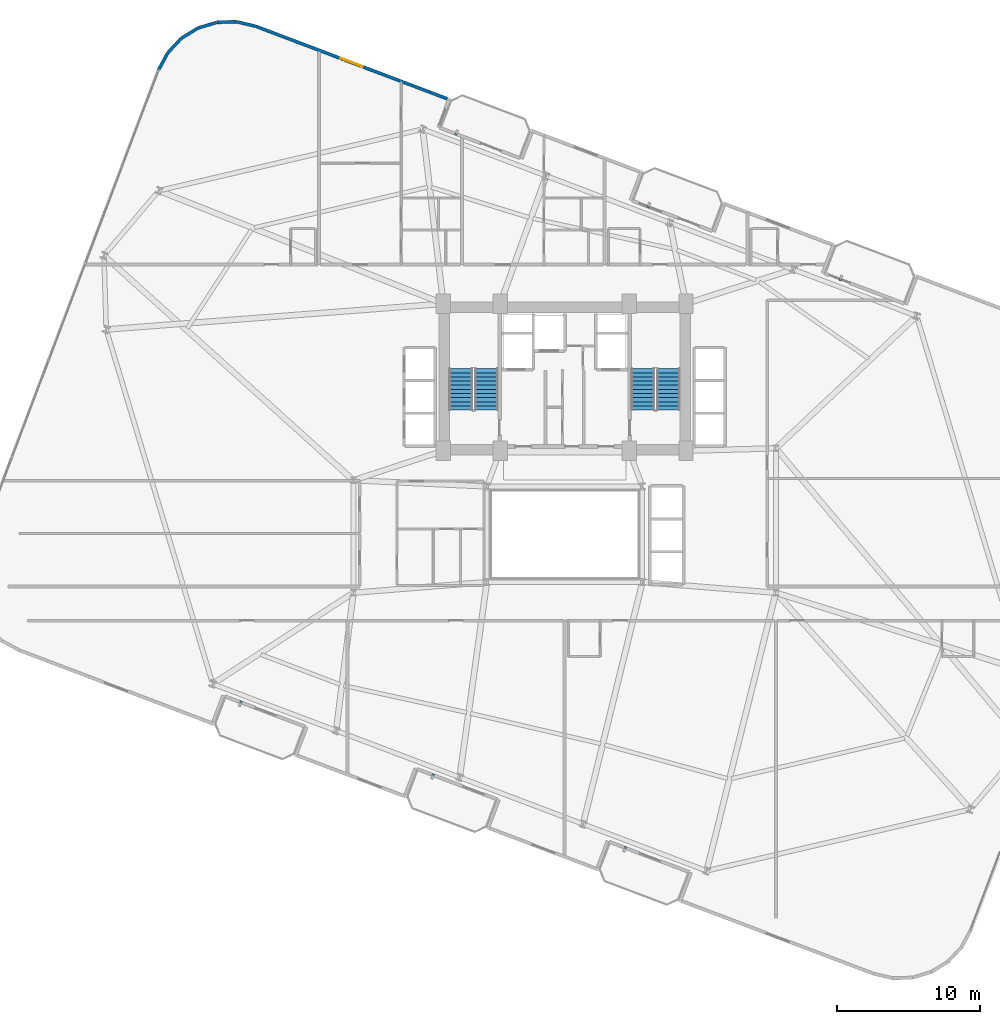
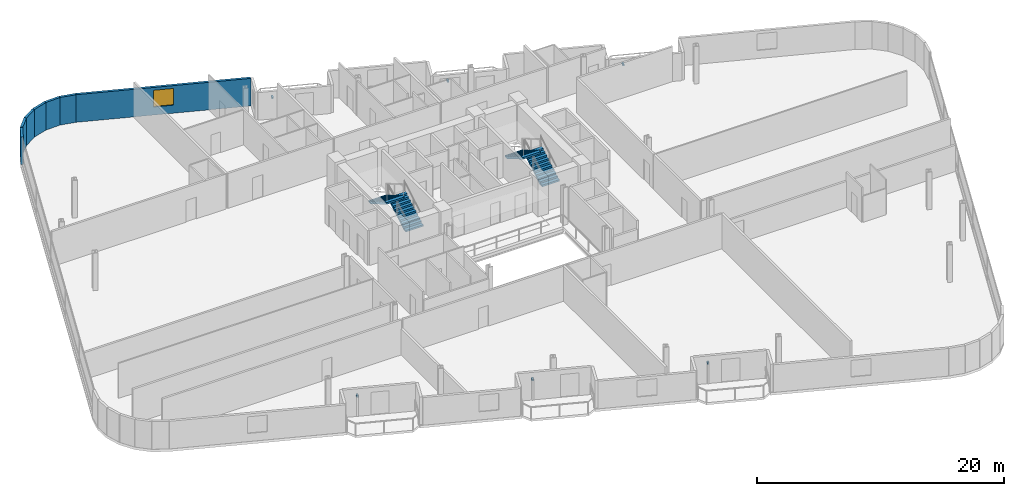
# One storey, part 21 of 24: 7 walls, 6 discrete accessories, 4 stair flights, 1 window, 1 opening, 2 elements without a shape of their own.
"""IFC4 building model written with IfcOpenShell, lengths in metres."""

from ifc_helpers import new_model, si_unit, direction, frame, frame_2d, origin, origin_2d, place, context, subcontext, project, spatial, polyline, rectangle, outline, extrude, source, transform, mapped, material, layer, layer_set, type_object, element, fill, aggregate, save


model = new_model("IFC4")

# Units and contexts
model_context = context("Model", 3, precision=1e-05, world=origin(), true_north=direction((0.0, 1.0)))
body_context = subcontext(model_context, "Body", "Model", "MODEL_VIEW")
ifc_project = project(units=[si_unit("LENGTHUNIT", "METRE"), si_unit("AREAUNIT", "SQUARE_METRE"), si_unit("VOLUMEUNIT", "CUBIC_METRE"), si_unit("PLANEANGLEUNIT", "RADIAN"), si_unit("MASSUNIT", "GRAM", prefix="KILO")], contexts=[model_context])

# Site, building, storey
site_placement = place(None, origin())
site = spatial("IfcSite", under=ifc_project, at=site_placement, CompositionType="ELEMENT")
building_placement = place(site_placement, origin())
building = spatial("IfcBuilding", under=site, at=building_placement, Name="Varnelok Gate Tower", CompositionType="ELEMENT")
storey_placement = place(building_placement, frame((0.0, 0.0, 98.39990234375)))
storey = spatial("IfcBuildingStorey", under=building, at=storey_placement, Name="L24", CompositionType="ELEMENT", Elevation=98.39990234375)

# Wall, opening, window
ifc_material_1 = material(Name="Concrete C45/55", Category="concrete")
ifc_layer = layer(ifc_material_1, 0.219970703125)
ifc_layer_set = layer_set([ifc_layer], Name="Concrete C45/55")
wall_type = type_object("IfcWallType", Name="EW-BALC-220", PredefinedType="SOLIDWALL", material=ifc_layer_set)
wall_1_placement = place(storey_placement, frame((30.97607421875, 53.412841796875, 0.0), z_axis=(0.0, 0.0, 1.0), x_axis=(-0.935220327379, 0.354066292178, 0.0)))
wall_1 = element("IfcWall", 1, at=wall_1_placement, inside=storey, type_object=wall_type, Name="L24 Perimeter Facade Closure Wall 38", PredefinedType="SOLIDWALL", context=body_context, shape_type="SweptSolid", body=[
    extrude(rectangle(XDim=14.34716796875, YDim=0.219970703125, at=frame_2d((7.173583984375, 0.0))), origin(), (0.0, 0.0, 1.0), 2.72998046875),
])
opening_placement = place(wall_1_placement, frame((6.348388671875, 0.0, 0.800048828125)))
opening = element("IfcOpeningElement", 2, at=opening_placement, cuts=wall_1, Name="Opening WN3", PredefinedType="OPENING", context=body_context, shape_type="SweptSolid", body=[
    extrude(rectangle(XDim=1.64990234375, YDim=1.64990234375, at=frame_2d((0.824951171875, 0.824951171875))), frame((0.0, 0.119873046875, 0.0), z_axis=(0.0, -1.0, 0.0), x_axis=(1.0, 0.0, 0.0)), (0.0, 0.0, 1.0), 0.239990234375),
])
ifc_material_2 = material(Name="Low-E Laminated Double Glazing IGU", Category="glass")
window_type = type_object("IfcWindowType", Name="WN-HTL-1650", PartitioningType="SINGLE_PANEL", PredefinedType="WINDOW", material=ifc_material_2)
window_placement = place(opening_placement, origin())
window = element("IfcWindow", 3, at=window_placement, inside=storey, type_object=window_type, Name="L24 Perimeter Vision Window 38", OverallHeight=1.64990234375, OverallWidth=1.64990234375, PartitioningType="SINGLE_PANEL", PredefinedType="WINDOW", context=body_context, shape_type="SweptSolid", body=[
    extrude(rectangle(XDim=1.64990234375, YDim=1.64990234375, at=frame_2d((0.824951171875, 0.824951171875))), frame((0.0, 0.030029296875, 0.0), z_axis=(0.0, -1.0, 0.0), x_axis=(1.0, 0.0, 0.0)), (0.0, 0.0, 1.0), 0.06005859375),
])
fill(opening, window)

# Walls
wall_2_placement = place(storey_placement, frame((17.533935546875, 58.498291015625, 0.0), z_axis=(0.0, 0.0, 1.0), x_axis=(-0.973414815952, 0.229049331117, 0.0)))
element("IfcWall", 4, at=wall_2_placement, inside=storey, type_object=wall_type, Name="L24 Perimeter Facade Closure Wall 39", PredefinedType="SOLIDWALL", context=body_context, shape_type="SweptSolid", body=[
    extrude(rectangle(XDim=1.361083984375, YDim=0.219970703125, at=frame_2d((0.6806640625, 0.0))), origin(), (0.0, 0.0, 1.0), 2.72998046875),
])
wall_3_placement = place(storey_placement, frame((16.18408203125, 58.809326171875, 0.0), z_axis=(0.0, 0.0, 1.0), x_axis=(-0.999523971993, -0.03085173271, 0.0)))
element("IfcWall", 5, at=wall_3_placement, inside=storey, type_object=wall_type, Name="L24 Perimeter Facade Closure Wall 40", PredefinedType="SOLIDWALL", context=body_context, shape_type="SweptSolid", body=[
    extrude(rectangle(XDim=1.353271484375, YDim=0.219970703125, at=frame_2d((0.6767578125, 0.0))), origin(), (0.0, 0.0, 1.0), 2.72998046875),
])
for number, where, z_axis, x_axis, name in (
    (6, (14.8076171875, 58.76025390625, 0.0), (0.0, 0.0, 1.0), (-0.957532798303, -0.28832436625, 0.0), "L24 Perimeter Facade Closure Wall 41"),
    (7, (13.49072265625, 58.35693359375, 0.0), (0.0, 0.0, 1.0), (-0.850261301096, -0.526360826676, 0.0), "L24 Perimeter Facade Closure Wall 42"),
    (8, (12.3232421875, 57.62646484375, 0.0), (0.0, 0.0, 1.0), (-0.684936830459, -0.728602455583, 0.0), "L24 Perimeter Facade Closure Wall 43"),
    (9, (11.384521484375, 56.61865234375, 0.0), (0.0, 0.0, 1.0), (-0.473077364598, -0.881020889142, 0.0), "L24 Perimeter Facade Closure Wall 44"),
):
    element("IfcWall", number, at=place(storey_placement, frame(where, z_axis=z_axis, x_axis=x_axis)), inside=storey, type_object=wall_type, Name=name, PredefinedType="SOLIDWALL", context=body_context, shape_type="SweptSolid", body=[
        extrude(rectangle(XDim=1.35302734375, YDim=0.219970703125, at=frame_2d((0.676513671875, 0.0))), origin(), (0.0, 0.0, 1.0), 2.72998046875),
    ])

# Stair, stair flights
ifc_material_3 = material(Name="Concrete C50/60", Category="concrete")
stair_type = type_object("IfcStairType", Name="STR-CORE-1650", PredefinedType="HALF_TURN_STAIR", material=ifc_material_3)
stair_1_placement = place(storey_placement, origin())
stair_1 = element("IfcStair", 10, at=stair_1_placement, inside=storey, type_object=stair_type, Name="L24 Exit Stair ST-1", PredefinedType="HALF_TURN_STAIR")
stair_flight_type = type_object("IfcStairFlightType", Name="SFL-CORE-1650", PredefinedType="STRAIGHT", material=ifc_material_3)
stair_flight_1_placement = place(storey_placement, frame((33.72509765625, 31.60009765625, 0.0), z_axis=(0.0, 0.0, 1.0), x_axis=(0.0, 1.0, 0.0)))
stair_flight_1 = element("IfcStairFlight", 11, at=stair_flight_1_placement, type_object=stair_flight_type, Name="ST-1 flight 1", NumberOfRisers=11, NumberOfTreads=10, PredefinedType="STRAIGHT", RiserHeight=0.168181818, TreadLength=0.29, context=body_context, shape_type="SweptSolid", body=[
    extrude(outline(polyline([(0.0, 0.0), (0.0, 0.168212890625), (0.2900390625, 0.168212890625), (0.2900390625, 0.33642578125), (0.580078125, 0.33642578125), (0.580078125, 0.504638671875), (0.8701171875, 0.504638671875), (0.8701171875, 0.672607421875), (1.159912109375, 0.672607421875), (1.159912109375, 0.8408203125), (1.449951171875, 0.8408203125), (1.449951171875, 1.009033203125), (1.739990234375, 1.009033203125), (1.739990234375, 1.17724609375), (2.030029296875, 1.17724609375), (2.030029296875, 1.345458984375), (2.320068359375, 1.345458984375), (2.320068359375, 1.513671875), (2.610107421875, 1.513671875), (2.610107421875, 1.681884765625), (2.89990234375, 1.681884765625), (2.89990234375, 1.85009765625), (2.89990234375, 1.508544921875), (0.298828125, 0.0), (0.0, 0.0)])), frame((0.0, 0.824951171875, 0.0), z_axis=(0.0, -1.0, 0.0), x_axis=(1.0, 0.0, 0.0)), (0.0, 0.0, 1.0), 1.64990234375),
])
stair_flight_2_placement = place(storey_placement, frame((31.925048828125, 34.5, 1.85009765625), z_axis=(0.0, 0.0, 1.0), x_axis=(0.0, -1.0, 0.0)))
stair_flight_2 = element("IfcStairFlight", 12, at=stair_flight_2_placement, type_object=stair_flight_type, Name="ST-1 flight 2", NumberOfRisers=11, NumberOfTreads=10, PredefinedType="STRAIGHT", RiserHeight=0.168181818, TreadLength=0.29, context=body_context, shape_type="SweptSolid", body=[
    extrude(outline(polyline([(0.0, 0.0), (0.0, 0.168212890625), (0.2900390625, 0.168212890625), (0.2900390625, 0.33642578125), (0.580078125, 0.33642578125), (0.580078125, 0.504638671875), (0.8701171875, 0.504638671875), (0.8701171875, 0.672607421875), (1.159912109375, 0.672607421875), (1.159912109375, 0.8408203125), (1.449951171875, 0.8408203125), (1.449951171875, 1.009033203125), (1.739990234375, 1.009033203125), (1.739990234375, 1.17724609375), (2.030029296875, 1.17724609375), (2.030029296875, 1.345458984375), (2.320068359375, 1.345458984375), (2.320068359375, 1.513671875), (2.610107421875, 1.513671875), (2.610107421875, 1.681884765625), (2.89990234375, 1.681884765625), (2.89990234375, 1.85009765625), (2.89990234375, 1.508544921875), (0.298828125, 0.0), (0.0, 0.0)])), frame((0.0, 0.824951171875, 0.0), z_axis=(0.0, -1.0, 0.0), x_axis=(1.0, 0.0, 0.0)), (0.0, 0.0, 1.0), 1.64990234375),
])
aggregate(stair_1, [stair_flight_1, stair_flight_2])

stair_2_placement = place(storey_placement, origin())
stair_2 = element("IfcStair", 13, at=stair_2_placement, inside=storey, type_object=stair_type, Name="L24 Exit Stair ST-2", PredefinedType="HALF_TURN_STAIR")
stair_flight_3_placement = place(storey_placement, frame((46.47509765625, 31.60009765625, 0.0), z_axis=(0.0, 0.0, 1.0), x_axis=(0.0, 1.0, 0.0)))
stair_flight_3 = element("IfcStairFlight", 14, at=stair_flight_3_placement, type_object=stair_flight_type, Name="ST-2 flight 1", NumberOfRisers=11, NumberOfTreads=10, PredefinedType="STRAIGHT", RiserHeight=0.168181818, TreadLength=0.29, context=body_context, shape_type="SweptSolid", body=[
    extrude(outline(polyline([(0.0, 0.0), (0.0, 0.168212890625), (0.2900390625, 0.168212890625), (0.2900390625, 0.33642578125), (0.580078125, 0.33642578125), (0.580078125, 0.504638671875), (0.8701171875, 0.504638671875), (0.8701171875, 0.672607421875), (1.159912109375, 0.672607421875), (1.159912109375, 0.8408203125), (1.449951171875, 0.8408203125), (1.449951171875, 1.009033203125), (1.739990234375, 1.009033203125), (1.739990234375, 1.17724609375), (2.030029296875, 1.17724609375), (2.030029296875, 1.345458984375), (2.320068359375, 1.345458984375), (2.320068359375, 1.513671875), (2.610107421875, 1.513671875), (2.610107421875, 1.681884765625), (2.89990234375, 1.681884765625), (2.89990234375, 1.85009765625), (2.89990234375, 1.508544921875), (0.298828125, 0.0), (0.0, 0.0)])), frame((0.0, 0.824951171875, 0.0), z_axis=(0.0, -1.0, 0.0), x_axis=(1.0, 0.0, 0.0)), (0.0, 0.0, 1.0), 1.64990234375),
])
stair_flight_4_placement = place(storey_placement, frame((44.675048828125, 34.5, 1.85009765625), z_axis=(0.0, 0.0, 1.0), x_axis=(0.0, -1.0, 0.0)))
stair_flight_4 = element("IfcStairFlight", 15, at=stair_flight_4_placement, type_object=stair_flight_type, Name="ST-2 flight 2", NumberOfRisers=11, NumberOfTreads=10, PredefinedType="STRAIGHT", RiserHeight=0.168181818, TreadLength=0.29, context=body_context, shape_type="SweptSolid", body=[
    extrude(outline(polyline([(0.0, 0.0), (0.0, 0.168212890625), (0.2900390625, 0.168212890625), (0.2900390625, 0.33642578125), (0.580078125, 0.33642578125), (0.580078125, 0.504638671875), (0.8701171875, 0.504638671875), (0.8701171875, 0.672607421875), (1.159912109375, 0.672607421875), (1.159912109375, 0.8408203125), (1.449951171875, 0.8408203125), (1.449951171875, 1.009033203125), (1.739990234375, 1.009033203125), (1.739990234375, 1.17724609375), (2.030029296875, 1.17724609375), (2.030029296875, 1.345458984375), (2.320068359375, 1.345458984375), (2.320068359375, 1.513671875), (2.610107421875, 1.513671875), (2.610107421875, 1.681884765625), (2.89990234375, 1.681884765625), (2.89990234375, 1.85009765625), (2.89990234375, 1.508544921875), (0.298828125, 0.0), (0.0, 0.0)])), frame((0.0, 0.824951171875, 0.0), z_axis=(0.0, -1.0, 0.0), x_axis=(1.0, 0.0, 0.0)), (0.0, 0.0, 1.0), 1.64990234375),
])
aggregate(stair_2, [stair_flight_3, stair_flight_4])

# Discrete accessories
ifc_material_4 = material(Name="Structural Steel ASTM A500 Grade C", Category="steel")
discrete_accessory_type = type_object("IfcDiscreteAccessoryType", Name="ACC-BAGUETTE-BRK", PredefinedType="BRACKET", material=ifc_material_4)
shared_shape = source(origin(), body_context, "Body", "SweptSolid", [
    extrude(rectangle(XDim=0.159912109375, YDim=0.340087890625, at=origin_2d()), origin(), (0.0, 0.0, 1.0), 0.139892578125),
])
for number, where, z_axis, x_axis, name in (
    (16, (16.483154296875, 11.050048828125, 1.97998046875), (0.0, 0.0, 1.0), (0.935221751401, -0.354062530786, 0.0), "L24 Terracotta Baguette Bracket 1.1"),
    (17, (29.9501953125, 5.95166015625, 1.97998046875), (0.0, 0.0, 1.0), (0.935221751401, -0.354062530786, 0.0), "L24 Terracotta Baguette Bracket 2.1"),
    (18, (43.41748046875, 0.85302734375, 1.97998046875), (0.0, 0.0, 1.0), (0.935221751401, -0.354062530786, 0.0), "L24 Terracotta Baguette Bracket 3.1"),
    (19, (31.61572265625, 51.021484375, 1.97998046875), (0.0, 0.0, 1.0), (0.935221751401, -0.354062530786, 0.0), "L24 Terracotta Baguette Bracket 4.1"),
    (20, (45.0830078125, 45.923095703125, 1.97998046875), (0.0, 0.0, 1.0), (0.935221751401, -0.354062530786, 0.0), "L24 Terracotta Baguette Bracket 5.1"),
    (21, (58.550048828125, 40.824462890625, 1.97998046875), (0.0, 0.0, 1.0), (0.935221751401, -0.354062530786, 0.0), "L24 Terracotta Baguette Bracket 6.1"),
):
    element("IfcDiscreteAccessory", number, at=place(storey_placement, frame(where, z_axis=z_axis, x_axis=x_axis)), inside=storey, type_object=discrete_accessory_type, Name=name, PredefinedType="BRACKET", context=body_context, shape_type="MappedRepresentation", body=[
        mapped(shared_shape, transform((0.0, 0.0, 0.0), scale=1.0)),
    ])

save(model, "model.ifc")
